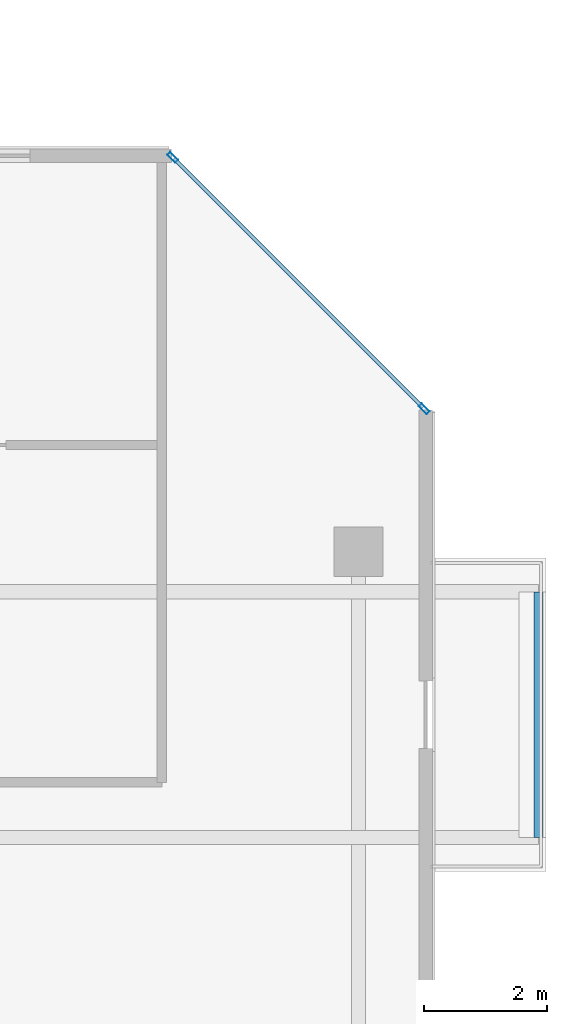
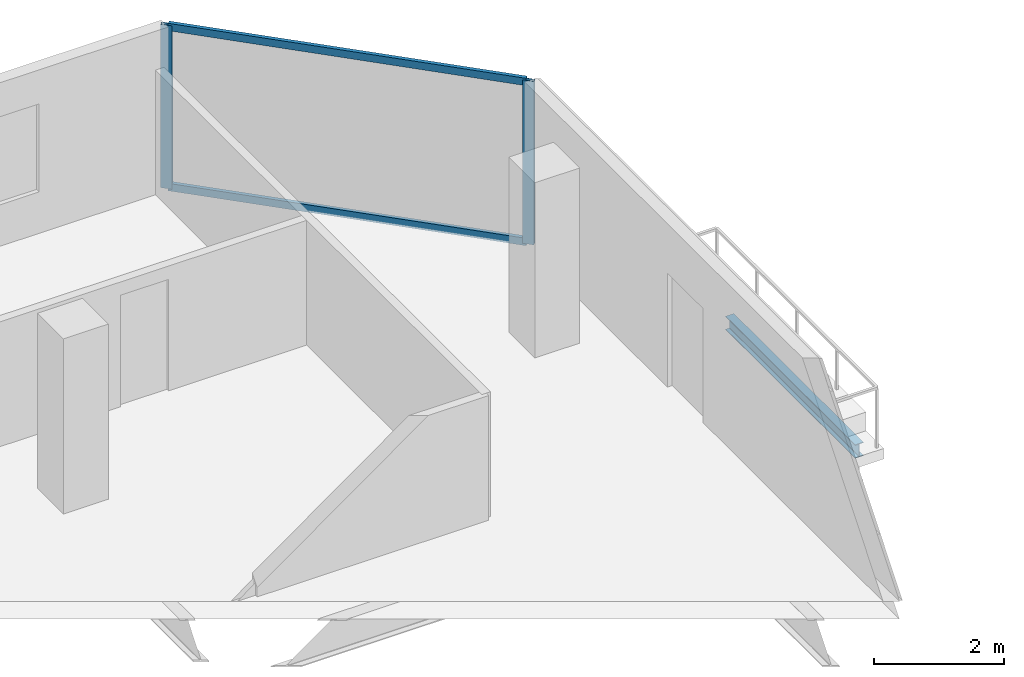
# One storey, part 16 of 28: 4 members, 1 beam, 1 element without a shape of its own.
"""IFC4 building model written with IfcOpenShell, lengths in metres."""

from ifc_helpers import new_model, si_unit, direction, frame, origin, origin_2d, place, context, subcontext, project, spatial, hollow_rectangle, i_section, extrude, material, layer, layer_set, material_profile, profile_set, type_object, element, aggregate, save


model = new_model("IFC4")

# Units and contexts
model_context = context("Model", 3, precision=1e-05, world=origin(), true_north=direction((0.0, 1.0)))
body_context = subcontext(model_context, "Body", "Model", "MODEL_VIEW")
ifc_project = project(units=[si_unit("LENGTHUNIT", "METRE"), si_unit("AREAUNIT", "SQUARE_METRE"), si_unit("VOLUMEUNIT", "CUBIC_METRE"), si_unit("PLANEANGLEUNIT", "RADIAN"), si_unit("MASSUNIT", "GRAM", prefix="KILO")], contexts=[model_context])

# Site, building, storey
site_placement = place(None, origin())
site = spatial("IfcSite", under=ifc_project, at=site_placement, CompositionType="ELEMENT")
building_placement = place(site_placement, origin())
building = spatial("IfcBuilding", under=site, at=building_placement, Name="Tanjung Sevakor Pilgrim Tower", CompositionType="ELEMENT")
storey_placement = place(building_placement, frame((0.0, 0.0, 185.1298828125)))
storey = spatial("IfcBuildingStorey", under=building, at=storey_placement, Name="L51", CompositionType="ELEMENT", Elevation=185.1298828125)

# Beam
ifc_material_1 = material(Name="Steel S355J2", Category="steel")
ifc_material_profile_1 = material_profile(ifc_material_1, i_section(OverallWidth=0.146484375, OverallDepth=0.256103515625, WebThickness=0.00634765625, FlangeThickness=0.010986328125, FilletRadius=0.007568359375, at=origin_2d()))
ifc_profile_set_1 = profile_set([ifc_material_profile_1], Name="Steel S355J2")
beam_type = type_object("IfcBeamType", Name="BM-B-J6-UB_254x146x37", PredefinedType="JOIST", material=ifc_profile_set_1)
beam_placement = place(storey_placement, frame((101.330078125, 43.949951171875, -0.327880859375), z_axis=(0.0, 1.0, 0.0), x_axis=(-1.0, 0.0, 0.0)))
element("IfcBeam", 1, at=beam_placement, inside=storey, type_object=beam_type, Name="L51 Balcony Rim Tie MAIN-E1", PredefinedType="JOIST", context=body_context, shape_type="SweptSolid", body=[
    extrude(i_section(OverallWidth=0.146484375, OverallDepth=0.256103515625, WebThickness=0.00634765625, FlangeThickness=0.010986328125, FilletRadius=0.007568359375, at=origin_2d()), origin(), (0.0, 0.0, 1.0), 4.0),
])

# Curtain wall, members
ifc_material_2 = material(Name="Aluminium 6063-T6 and Low-E Glass", Category="aluminium")
ifc_layer = layer(ifc_material_2, 0.179931640625)
ifc_layer_set = layer_set([ifc_layer], Name="CW-SYS-CHAM")
curtain_wall_type = type_object("IfcCurtainWallType", Name="CW-SYS-CHAM", PredefinedType="NOTDEFINED", material=ifc_layer_set)
curtain_wall_placement = place(storey_placement, origin())
curtain_wall = element("IfcCurtainWall", 2, at=curtain_wall_placement, inside=storey, type_object=curtain_wall_type, Name="L51 Curtain Wall CW-CHM-L51-MAIN-7", PredefinedType="NOTDEFINED")
ifc_material_3 = material(Name="Aluminium 6063-T6", Category="aluminium")
ifc_material_profile_2 = material_profile(ifc_material_3, hollow_rectangle(XDim=0.06494140625, YDim=0.179931640625, WallThickness=0.00390625, at=origin_2d()))
ifc_profile_set_2 = profile_set([ifc_material_profile_2], Name="Aluminium 6063-T6")
member_type_1 = type_object("IfcMemberType", Name="TYPE-CWM-1", PredefinedType="MULLION", material=ifc_profile_set_2)
member_1_placement = place(storey_placement, frame((99.467041015625, 50.927490234375, 0.0), z_axis=(0.0, 0.0, 1.0), x_axis=(-0.707106781187, -0.707106781187, 0.0)))
member_1 = element("IfcMember", 3, at=member_1_placement, type_object=member_type_1, Name="CW-CHM mullion 1", PredefinedType="MULLION", context=body_context, shape_type="SweptSolid", body=[
    extrude(hollow_rectangle(XDim=0.06494140625, YDim=0.179931640625, WallThickness=0.00390625, at=origin_2d()), origin(), (0.0, 0.0, 1.0), 3.080078125),
])
member_2_placement = place(storey_placement, frame((95.37744140625, 55.01708984375, 0.0), z_axis=(0.0, 0.0, 1.0), x_axis=(-0.707106781187, -0.707106781187, 0.0)))
member_2 = element("IfcMember", 4, at=member_2_placement, type_object=member_type_1, Name="CW-CHM mullion 2", PredefinedType="MULLION", context=body_context, shape_type="SweptSolid", body=[
    extrude(hollow_rectangle(XDim=0.06494140625, YDim=0.179931640625, WallThickness=0.00390625, at=origin_2d()), origin(), (0.0, 0.0, 1.0), 3.080078125),
])
ifc_material_4 = material(Name="Aluminium 6063-T6", Category="aluminium")
ifc_material_profile_3 = material_profile(ifc_material_4, hollow_rectangle(XDim=0.06494140625, YDim=0.139892578125, WallThickness=0.00390625, at=origin_2d()))
ifc_profile_set_3 = profile_set([ifc_material_profile_3], Name="Aluminium 6063-T6")
member_type_2 = type_object("IfcMemberType", Name="TYPE-CWT-1", PredefinedType="USERDEFINED", material=ifc_profile_set_3)
member_3_placement = place(storey_placement, frame((99.444091796875, 50.950439453125, 0.03271484375), z_axis=(-0.707106781187, 0.707106781187, 0.0), x_axis=(-0.707106781187, -0.707106781187, 0.0)))
member_3 = element("IfcMember", 5, at=member_3_placement, type_object=member_type_2, Name="CW-CHM transom 1.1", ObjectType="TRANSOM", PredefinedType="USERDEFINED", context=body_context, shape_type="SweptSolid", body=[
    extrude(hollow_rectangle(XDim=0.06494140625, YDim=0.139892578125, WallThickness=0.00390625, at=origin_2d()), origin(), (0.0, 0.0, 1.0), 5.71875),
])
member_4_placement = place(storey_placement, frame((99.444091796875, 50.950439453125, 3.047607421875), z_axis=(-0.707106781187, 0.707106781187, 0.0), x_axis=(-0.707106781187, -0.707106781187, 0.0)))
member_4 = element("IfcMember", 6, at=member_4_placement, type_object=member_type_2, Name="CW-CHM transom 1.2", ObjectType="TRANSOM", PredefinedType="USERDEFINED", context=body_context, shape_type="SweptSolid", body=[
    extrude(hollow_rectangle(XDim=0.06494140625, YDim=0.139892578125, WallThickness=0.00390625, at=origin_2d()), origin(), (0.0, 0.0, 1.0), 5.71875),
])
aggregate(curtain_wall, [member_1, member_2, member_3, member_4])

save(model, "model.ifc")
